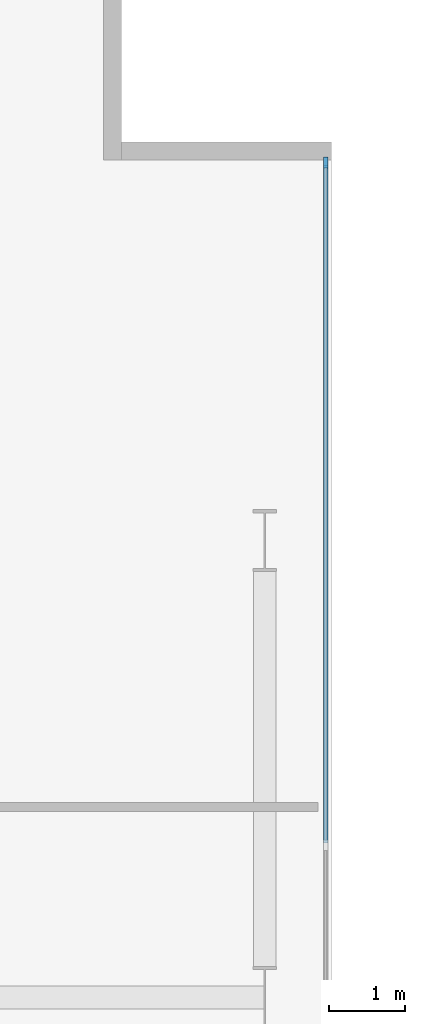
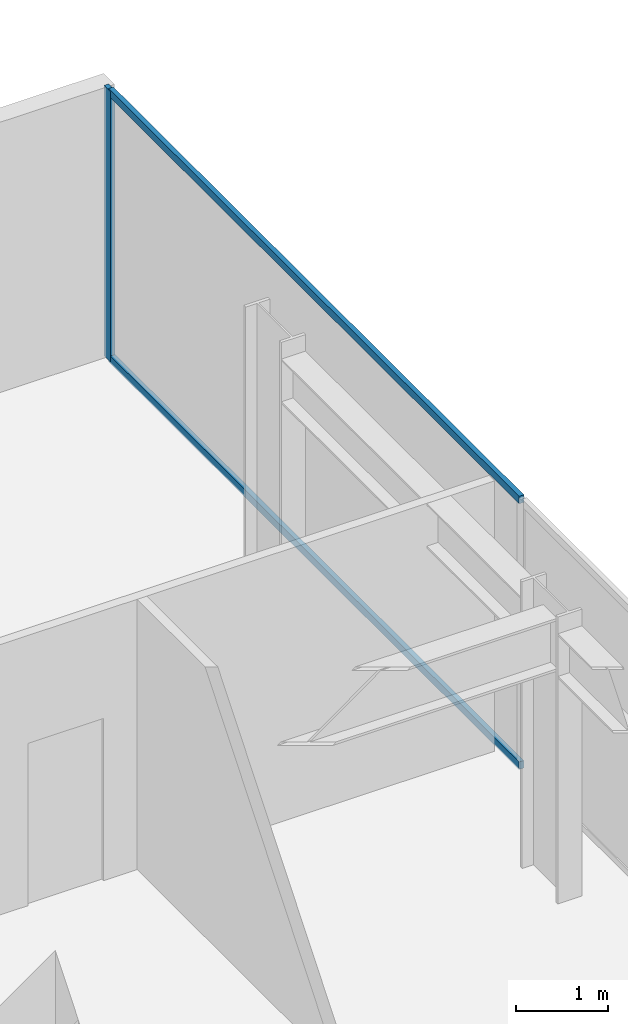
# One storey, part 15 of 24: 3 members, 1 element without a shape of its own.
"""IFC4 building model written with IfcOpenShell, lengths in metres."""

from ifc_helpers import new_model, si_unit, direction, frame, origin, origin_2d, place, context, subcontext, project, spatial, rectangle, extrude, material, layer, layer_set, material_profile, profile_set, type_object, element, aggregate, save


model = new_model("IFC4")

# Units and contexts
model_context = context("Model", 3, precision=1e-05, world=origin(), true_north=direction((0.0, 1.0)))
body_context = subcontext(model_context, "Body", "Model", "MODEL_VIEW")
ifc_project = project(units=[si_unit("LENGTHUNIT", "METRE"), si_unit("AREAUNIT", "SQUARE_METRE"), si_unit("VOLUMEUNIT", "CUBIC_METRE"), si_unit("PLANEANGLEUNIT", "RADIAN"), si_unit("MASSUNIT", "GRAM", prefix="KILO")], contexts=[model_context])

# Site, building, storey
site_placement = place(None, origin())
site = spatial("IfcSite", under=ifc_project, at=site_placement, CompositionType="ELEMENT")
building_placement = place(site_placement, origin())
building = spatial("IfcBuilding", under=site, at=building_placement, Name="Putna Gate Headquarters", CompositionType="ELEMENT")
storey_placement = place(building_placement, frame((0.0, 0.0, 248.0)))
storey = spatial("IfcBuildingStorey", under=building, at=storey_placement, Name="L62", CompositionType="ELEMENT", Elevation=248.0)

# Curtain wall, members
ifc_material_1 = material(Name="Anodised bronze aluminium curtain wall", Category="aluminium")
ifc_layer = layer(ifc_material_1, 0.139892578125)
ifc_layer_set = layer_set([ifc_layer], Name="Anodised bronze aluminium curtain wall")
curtain_wall_type = type_object("IfcCurtainWallType", Name="CW-SYS-Z4", PredefinedType="USERDEFINED", material=ifc_layer_set)
curtain_wall_placement = place(storey_placement, origin())
curtain_wall = element("IfcCurtainWall", 1, at=curtain_wall_placement, inside=storey, type_object=curtain_wall_type, Name="L62 East Curtain Wall", ObjectType="STICK CURTAIN WALL", PredefinedType="USERDEFINED")
ifc_material_2 = material(Name="Anodised bronze aluminium EN AW-6060", Category="aluminium")
ifc_material_profile_1 = material_profile(ifc_material_2, rectangle(XDim=0.06005859375, YDim=0.139892578125, at=origin_2d()), Name="Anodised bronze aluminium EN AW-6060")
ifc_profile_set_1 = profile_set([ifc_material_profile_1], Name="Anodised bronze aluminium EN AW-6060")
member_type_1 = type_object("IfcMemberType", Name="MULL-CWM-4", PredefinedType="MULLION", material=ifc_profile_set_1)
member_1_placement = place(storey_placement, frame((72.1201171875, 43.969970703125, 0.0), z_axis=(0.0, 0.0, 1.0), x_axis=(-1.0, 0.0, 0.0)))
member_1 = element("IfcMember", 2, at=member_1_placement, type_object=member_type_1, Name="CWS-4 mullion 5", PredefinedType="MULLION", context=body_context, shape_type="SweptSolid", body=[
    extrude(rectangle(XDim=0.06005859375, YDim=0.139892578125, at=origin_2d()), origin(), (0.0, 0.0, 1.0), 3.580078125),
])
ifc_material_profile_2 = material_profile(ifc_material_2, rectangle(XDim=0.06005859375, YDim=0.10009765625, at=origin_2d()), Name="Anodised bronze aluminium EN AW-6060")
ifc_profile_set_2 = profile_set([ifc_material_profile_2], Name="Anodised bronze aluminium EN AW-6060")
member_type_2 = type_object("IfcMemberType", Name="TRAN-CWT-4", PredefinedType="USERDEFINED", material=ifc_profile_set_2)
member_2_placement = place(storey_placement, frame((72.1201171875, 35.030029296875, 0.030029296875), z_axis=(0.0, 1.0, 0.0), x_axis=(-1.0, 0.0, 0.0)))
member_2 = element("IfcMember", 3, at=member_2_placement, type_object=member_type_2, Name="CWS-4 transom 4.1", ObjectType="TRANSOM", PredefinedType="USERDEFINED", context=body_context, shape_type="SweptSolid", body=[
    extrude(rectangle(XDim=0.06005859375, YDim=0.10009765625, at=origin_2d()), origin(), (0.0, 0.0, 1.0), 8.909912109375),
])
member_3_placement = place(storey_placement, frame((72.1201171875, 35.030029296875, 3.550048828125), z_axis=(0.0, 1.0, 0.0), x_axis=(-1.0, 0.0, 0.0)))
member_3 = element("IfcMember", 4, at=member_3_placement, type_object=member_type_2, Name="CWS-4 transom 4.2", ObjectType="TRANSOM", PredefinedType="USERDEFINED", context=body_context, shape_type="SweptSolid", body=[
    extrude(rectangle(XDim=0.06005859375, YDim=0.10009765625, at=origin_2d()), origin(), (0.0, 0.0, 1.0), 8.909912109375),
])
aggregate(curtain_wall, [member_1, member_2, member_3])

save(model, "model.ifc")
